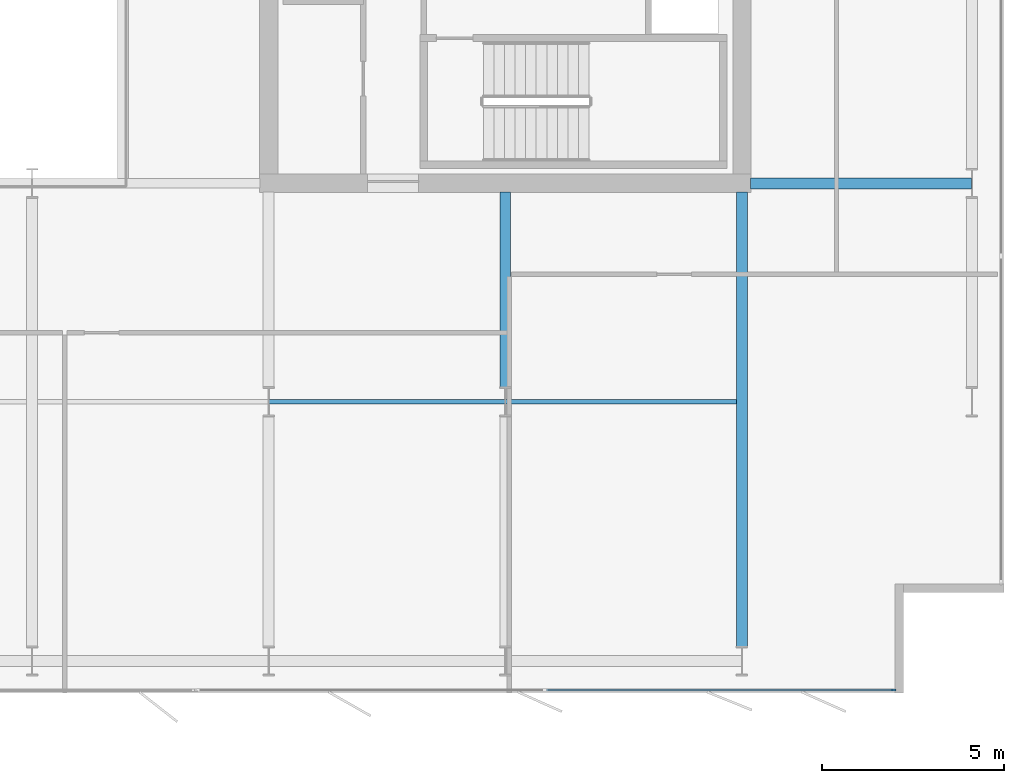
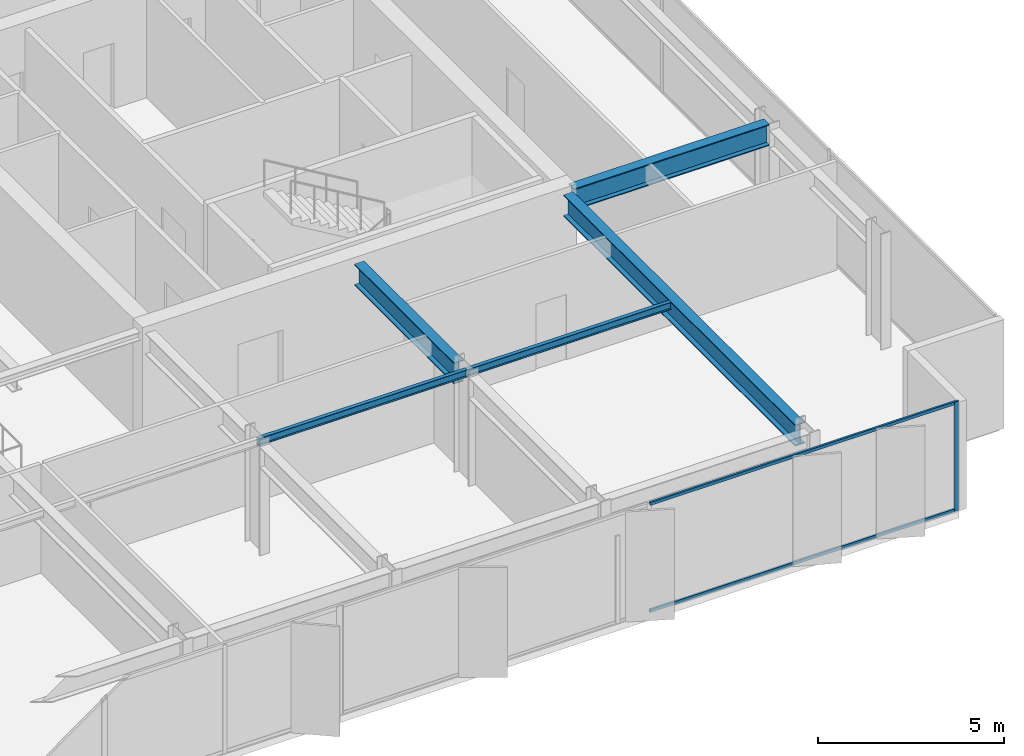
# One storey, part 8 of 23: 5 beams, 3 members, 1 element without a shape of its own.
"""IFC4 building model written with IfcOpenShell, lengths in metres."""

from ifc_helpers import new_model, si_unit, direction, frame, origin, origin_2d, place, context, subcontext, project, spatial, rectangle, i_section, extrude, material, layer, layer_set, material_profile, profile_set, type_object, element, aggregate, save


model = new_model("IFC4")

# Units and contexts
model_context = context("Model", 3, precision=1e-05, world=origin(), true_north=direction((0.0, 1.0)))
body_context = subcontext(model_context, "Body", "Model", "MODEL_VIEW")
ifc_project = project(units=[si_unit("LENGTHUNIT", "METRE"), si_unit("AREAUNIT", "SQUARE_METRE"), si_unit("VOLUMEUNIT", "CUBIC_METRE"), si_unit("PLANEANGLEUNIT", "RADIAN"), si_unit("MASSUNIT", "GRAM", prefix="KILO")], contexts=[model_context])

# Site, building, storey
site_placement = place(None, origin())
site = spatial("IfcSite", under=ifc_project, at=site_placement, CompositionType="ELEMENT")
building_placement = place(site_placement, origin())
building = spatial("IfcBuilding", under=site, at=building_placement, Name="Putna Gate Headquarters", CompositionType="ELEMENT")
storey_placement = place(building_placement, frame((0.0, 0.0, 229.0)))
storey = spatial("IfcBuildingStorey", under=building, at=storey_placement, Name="L57", CompositionType="ELEMENT", Elevation=229.0)

# Beams
ifc_material_1 = material(Name="Steel S355J2", Category="steel")
ifc_material_profile_1 = material_profile(ifc_material_1, i_section(OverallWidth=0.300048828125, OverallDepth=0.699951171875, WebThickness=0.01708984375, FlangeThickness=0.031982421875, at=origin_2d()), Name="Steel S355J2")
ifc_profile_set_1 = profile_set([ifc_material_profile_1], Name="Steel S355J2")
beam_type_1 = type_object("IfcBeamType", Name="BM-GIRD-B-HEB700", PredefinedType="USERDEFINED", material=ifc_profile_set_1)
beam_1_placement = place(storey_placement, frame((65.235107421875, 19.0, 3.22998046875), z_axis=(1.0, 0.0, 0.0), x_axis=(0.0, 1.0, 0.0)))
element("IfcBeam", 1, at=beam_1_placement, inside=storey, type_object=beam_type_1, Name="L57 East Wing Girder Y19", ObjectType="GIRDER", PredefinedType="USERDEFINED", context=body_context, shape_type="SweptSolid", body=[
    extrude(i_section(OverallWidth=0.300048828125, OverallDepth=0.699951171875, WebThickness=0.01708984375, FlangeThickness=0.031982421875, at=origin_2d()), origin(), (0.0, 0.0, 1.0), 6.078857421875),
])
beam_2_placement = place(storey_placement, frame((58.5, 13.39501953125, 3.22998046875), z_axis=(0.0, 1.0, 0.0), x_axis=(-1.0, 0.0, 0.0)))
element("IfcBeam", 2, at=beam_2_placement, inside=storey, type_object=beam_type_1, Name="L57 South Primary Girder X58-2", ObjectType="GIRDER", PredefinedType="USERDEFINED", context=body_context, shape_type="SweptSolid", body=[
    extrude(i_section(OverallWidth=0.300048828125, OverallDepth=0.699951171875, WebThickness=0.01708984375, FlangeThickness=0.031982421875, at=origin_2d()), origin(), (0.0, 0.0, 1.0), 5.369873046875),
])
beam_3_placement = place(storey_placement, frame((65.0, 6.27490234375, 3.22998046875), z_axis=(0.0, 1.0, 0.0), x_axis=(-1.0, 0.0, 0.0)))
element("IfcBeam", 3, at=beam_3_placement, inside=storey, type_object=beam_type_1, Name="L57 South Primary Girder X65", ObjectType="GIRDER", PredefinedType="USERDEFINED", context=body_context, shape_type="SweptSolid", body=[
    extrude(i_section(OverallWidth=0.300048828125, OverallDepth=0.699951171875, WebThickness=0.01708984375, FlangeThickness=0.031982421875, at=origin_2d()), origin(), (0.0, 0.0, 1.0), 12.489990234375),
])
ifc_material_profile_2 = material_profile(ifc_material_1, i_section(OverallWidth=0.1201171875, OverallDepth=0.239990234375, WebThickness=0.006103515625, FlangeThickness=0.009765625, at=origin_2d()), Name="Steel S355J2")
ifc_profile_set_2 = profile_set([ifc_material_profile_2], Name="Steel S355J2")
beam_type_2 = type_object("IfcBeamType", Name="BM-SEC-Z4-IPE240", PredefinedType="JOIST", material=ifc_profile_set_2)
beam_4_placement = place(storey_placement, frame((52.006103515625, 13.0, 3.4599609375), z_axis=(1.0, 0.0, 0.0), x_axis=(0.0, 1.0, 0.0)))
element("IfcBeam", 4, at=beam_4_placement, inside=storey, type_object=beam_type_2, Name="L57 South Secondary Beam 7", PredefinedType="JOIST", context=body_context, shape_type="SweptSolid", body=[
    extrude(i_section(OverallWidth=0.1201171875, OverallDepth=0.239990234375, WebThickness=0.006103515625, FlangeThickness=0.009765625, at=origin_2d()), origin(), (0.0, 0.0, 1.0), 6.48779296875),
])
beam_5_placement = place(storey_placement, frame((58.506103515625, 13.0, 3.4599609375), z_axis=(1.0, 0.0, 0.0), x_axis=(0.0, 1.0, 0.0)))
element("IfcBeam", 5, at=beam_5_placement, inside=storey, type_object=beam_type_2, Name="L57 South Secondary Beam 8", PredefinedType="JOIST", context=body_context, shape_type="SweptSolid", body=[
    extrude(i_section(OverallWidth=0.1201171875, OverallDepth=0.239990234375, WebThickness=0.006103515625, FlangeThickness=0.009765625, at=origin_2d()), origin(), (0.0, 0.0, 1.0), 6.33984375),
])

# Curtain wall, members
ifc_material_2 = material(Name="Anodised bronze aluminium curtain wall", Category="aluminium")
ifc_layer = layer(ifc_material_2, 0.139892578125)
ifc_layer_set = layer_set([ifc_layer], Name="Anodised bronze aluminium curtain wall")
curtain_wall_type = type_object("IfcCurtainWallType", Name="CW-SYS-Z4", PredefinedType="USERDEFINED", material=ifc_layer_set)
curtain_wall_placement = place(storey_placement, origin())
curtain_wall = element("IfcCurtainWall", 6, at=curtain_wall_placement, inside=storey, type_object=curtain_wall_type, Name="L57 South East Curtain Wall", ObjectType="STICK CURTAIN WALL", PredefinedType="USERDEFINED")
ifc_material_3 = material(Name="Anodised bronze aluminium EN AW-6060", Category="aluminium")
ifc_material_profile_3 = material_profile(ifc_material_3, rectangle(XDim=0.06005859375, YDim=0.139892578125, at=origin_2d()), Name="Anodised bronze aluminium EN AW-6060")
ifc_profile_set_3 = profile_set([ifc_material_profile_3], Name="Anodised bronze aluminium EN AW-6060")
member_type_1 = type_object("IfcMemberType", Name="MULL-CWM-4", PredefinedType="MULLION", material=ifc_profile_set_3)
member_1_placement = place(storey_placement, frame((69.169921875, 5.080078125, 0.0), z_axis=(0.0, 0.0, 1.0), x_axis=(0.0, 1.0, 0.0)))
member_1 = element("IfcMember", 7, at=member_1_placement, type_object=member_type_1, Name="CWS-4 mullion 3", PredefinedType="MULLION", context=body_context, shape_type="SweptSolid", body=[
    extrude(rectangle(XDim=0.06005859375, YDim=0.139892578125, at=origin_2d()), origin(), (0.0, 0.0, 1.0), 3.580078125),
])
ifc_material_profile_4 = material_profile(ifc_material_3, rectangle(XDim=0.06005859375, YDim=0.10009765625, at=origin_2d()), Name="Anodised bronze aluminium EN AW-6060")
ifc_profile_set_4 = profile_set([ifc_material_profile_4], Name="Anodised bronze aluminium EN AW-6060")
member_type_2 = type_object("IfcMemberType", Name="TRAN-CWT-4", PredefinedType="USERDEFINED", material=ifc_profile_set_4)
member_2_placement = place(storey_placement, frame((59.6298828125, 5.080078125, 0.030029296875), z_axis=(1.0, 0.0, 0.0), x_axis=(0.0, 1.0, 0.0)))
member_2 = element("IfcMember", 8, at=member_2_placement, type_object=member_type_2, Name="CWS-4 transom 2.1", ObjectType="TRANSOM", PredefinedType="USERDEFINED", context=body_context, shape_type="SweptSolid", body=[
    extrude(rectangle(XDim=0.06005859375, YDim=0.10009765625, at=origin_2d()), origin(), (0.0, 0.0, 1.0), 9.510009765625),
])
member_3_placement = place(storey_placement, frame((59.6298828125, 5.080078125, 3.550048828125), z_axis=(1.0, 0.0, 0.0), x_axis=(0.0, 1.0, 0.0)))
member_3 = element("IfcMember", 9, at=member_3_placement, type_object=member_type_2, Name="CWS-4 transom 2.2", ObjectType="TRANSOM", PredefinedType="USERDEFINED", context=body_context, shape_type="SweptSolid", body=[
    extrude(rectangle(XDim=0.06005859375, YDim=0.10009765625, at=origin_2d()), origin(), (0.0, 0.0, 1.0), 9.510009765625),
])
aggregate(curtain_wall, [member_1, member_2, member_3])

save(model, "model.ifc")
